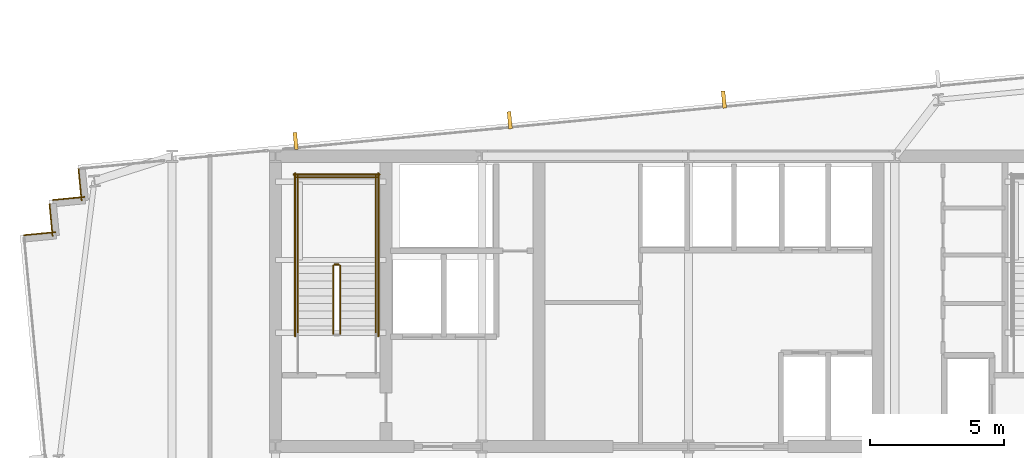
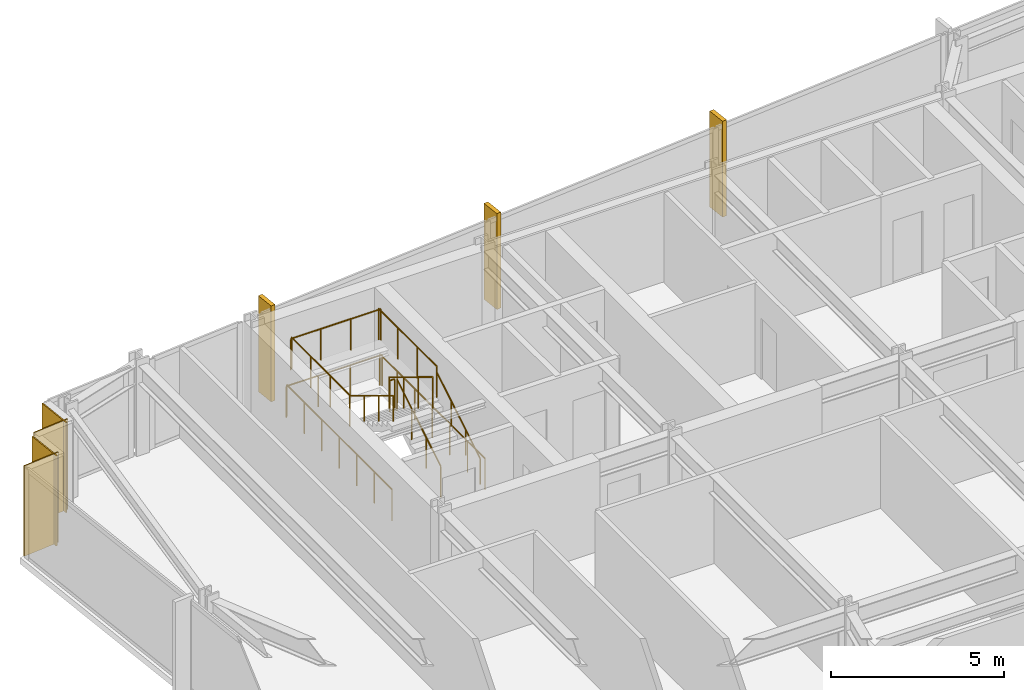
# One storey, part 32 of 33: 11 railings, 4 coverings, 3 shading devices.
"""IFC4 building model written with IfcOpenShell, lengths in metres."""

from ifc_helpers import new_model, si_unit, direction, frame, frame_2d, origin, origin_2d, place, context, subcontext, project, spatial, rectangle, circle, extrude, material, layer, layer_set, type_object, element, save


model = new_model("IFC4")

# Units and contexts
model_context = context("Model", 3, precision=1e-05, world=origin(), true_north=direction((0.0, 1.0)))
body_context = subcontext(model_context, "Body", "Model", "MODEL_VIEW")
ifc_project = project(units=[si_unit("LENGTHUNIT", "METRE"), si_unit("AREAUNIT", "SQUARE_METRE"), si_unit("VOLUMEUNIT", "CUBIC_METRE"), si_unit("PLANEANGLEUNIT", "RADIAN"), si_unit("MASSUNIT", "GRAM", prefix="KILO")], contexts=[model_context])

# Site, building, storey
site_placement = place(None, origin())
site = spatial("IfcSite", under=ifc_project, at=site_placement, CompositionType="ELEMENT")
building_placement = place(site_placement, origin())
building = spatial("IfcBuilding", under=site, at=building_placement, Name="Yelkora Congress Tower", CompositionType="ELEMENT")
storey_placement = place(building_placement, frame((0.0, 0.0, 127.10009765625)))
storey = spatial("IfcBuildingStorey", under=building, at=storey_placement, Name="L34", CompositionType="ELEMENT", Elevation=127.10009765625)

# Coverings
ifc_material_1 = material(Name="Anatolian bush-hammered limestone", Category="masonry")
ifc_layer_1 = layer(ifc_material_1, 0.0400390625)
ifc_layer_set_1 = layer_set([ifc_layer_1], Name="Anatolian bush-hammered limestone")
covering_type = type_object("IfcCoveringType", Name="COV-CLAD-SPANDREL-40", PredefinedType="CLADDING", material=ifc_layer_set_1)
for number, where, z_axis, x_axis, name in (
    (1, (13.677978515625, 43.260986328125, 0.0), (0.0, 0.0, 1.0), (0.995397091755, 0.095836473879, 0.0), "L34 Anatolian Limestone Cladding EW-L34-SR06"),
    (2, (14.7509765625, 43.228759765625, 0.0), (0.0, 0.0, 1.0), (-0.095836473879, 0.995397091755, 0.0), "L34 Anatolian Limestone Cladding EW-L34-SR07"),
):
    element("IfcCovering", number, at=place(storey_placement, frame(where, z_axis=z_axis, x_axis=x_axis)), inside=storey, type_object=covering_type, Name=name, PredefinedType="CLADDING", context=body_context, shape_type="SweptSolid", body=[
        extrude(rectangle(XDim=1.199951171875, YDim=0.0400390625, at=frame_2d((0.60009765625, 0.0))), origin(), (0.0, 0.0, 1.0), 3.179931640625),
    ])
for number, where, z_axis, x_axis, name in (
    (3, (14.75732421875, 44.570556640625, 0.0), (0.0, 0.0, 1.0), (0.995398960025, 0.095817067274, 0.0), "L34 Anatolian Limestone Cladding EW-L34-SR08"),
    (4, (15.830322265625, 44.5380859375, 0.0), (0.0, 0.0, 1.0), (-0.095817067274, 0.995398960025, 0.0), "L34 Anatolian Limestone Cladding EW-L34-SR09"),
):
    element("IfcCovering", number, at=place(storey_placement, frame(where, z_axis=z_axis, x_axis=x_axis)), inside=storey, type_object=covering_type, Name=name, PredefinedType="CLADDING", context=body_context, shape_type="SweptSolid", body=[
        extrude(rectangle(XDim=1.2001953125, YDim=0.0400390625, at=frame_2d((0.60009765625, 0.0))), origin(), (0.0, 0.0, 1.0), 3.179931640625),
    ])

# Railings
ifc_material_2 = material(Name="Painted galvanised steel stair well guard with vertical infill", Category="steel")
ifc_layer_2 = layer(ifc_material_2, 0.06005859375)
ifc_layer_set_2 = layer_set([ifc_layer_2], Name="Painted galvanised steel stair well guard with vertical infill")
railing_type_1 = type_object("IfcRailingType", Name="RAIL-STAIR-GUARD-1120", PredefinedType="GUARDRAIL", material=ifc_layer_set_2)
railing_1_placement = place(storey_placement, frame((25.449951171875, 39.60009765625, 0.169921875)))
element("IfcRailing", 5, at=railing_1_placement, inside=storey, type_object=railing_type_1, Name="ST-01 L34 Stair Well Guardrail 1", PredefinedType="GUARDRAIL", context=body_context, shape_type="SweptSolid", body=[
    extrude(circle(Radius=0.02392578125, at=origin_2d()), frame((0.0, 0.0, 1.09619140625), z_axis=(0.0, 0.85478489116, 0.518982456201), x_axis=(-1.0, 0.0, 0.0)), (0.0, 0.0, 1.0), 2.9482421875),
    extrude(circle(Radius=0.02099609375, at=origin_2d()), origin(), (0.0, 0.0, 1.0), 1.072021484375),
    extrude(circle(Radius=0.02099609375, at=origin_2d()), frame((0.0, 0.840087890625, 0.510009765625)), (0.0, 0.0, 1.0), 1.072021484375),
    extrude(circle(Radius=0.02099609375, at=origin_2d()), frame((0.0, 1.679931640625, 1.02001953125)), (0.0, 0.0, 1.0), 1.072021484375),
    extrude(circle(Radius=0.02099609375, at=origin_2d()), frame((0.0, 2.52001953125, 1.530029296875)), (0.0, 0.0, 1.0), 1.072021484375),
])
railing_2_placement = place(storey_placement, frame((25.39990234375, 42.169921875, 1.699951171875)))
element("IfcRailing", 6, at=railing_2_placement, inside=storey, type_object=railing_type_1, Name="ST-01 L34 Stair Well Guardrail 2", PredefinedType="GUARDRAIL", context=body_context, shape_type="SweptSolid", body=[
    extrude(circle(Radius=0.02392578125, at=origin_2d()), frame((0.0, 0.0, 1.09619140625), z_axis=(-1.0, 0.0, 0.0), x_axis=(0.0, -1.0, 0.0)), (0.0, 0.0, 1.0), 0.159912109375),
    extrude(circle(Radius=0.02099609375, at=origin_2d()), origin(), (0.0, 0.0, 1.0), 1.072021484375),
    extrude(circle(Radius=0.02099609375, at=origin_2d()), frame((-0.159912109375, 0.0, 0.0)), (0.0, 0.0, 1.0), 1.072021484375),
])
for number, where, name in (
    (7, (26.77001953125, 42.1201171875, 1.699951171875), "ST-01 L34 Stair Well Guardrail 3"),
    (8, (23.8701171875, 42.1201171875, 1.699951171875), "ST-01 L34 Stair Well Guardrail 4"),
):
    element("IfcRailing", number, at=place(storey_placement, frame(where)), inside=storey, type_object=railing_type_1, Name=name, PredefinedType="GUARDRAIL", context=body_context, shape_type="SweptSolid", body=[
        extrude(circle(Radius=0.02392578125, at=origin_2d()), frame((0.0, 0.0, 1.09619140625), z_axis=(0.0, 1.0, 0.0), x_axis=(-1.0, 0.0, 0.0)), (0.0, 0.0, 1.0), 3.349853515625),
        extrude(circle(Radius=0.02099609375, at=origin_2d()), origin(), (0.0, 0.0, 1.0), 1.072021484375),
        extrude(circle(Radius=0.02099609375, at=origin_2d()), frame((0.0, 1.11669921875, 0.0)), (0.0, 0.0, 1.0), 1.072021484375),
        extrude(circle(Radius=0.02099609375, at=origin_2d()), frame((0.0, 2.233154296875, 0.0)), (0.0, 0.0, 1.0), 1.072021484375),
        extrude(circle(Radius=0.02099609375, at=origin_2d()), frame((0.0, 3.349853515625, 0.0)), (0.0, 0.0, 1.0), 1.072021484375),
    ])
railing_3_placement = place(storey_placement, frame((26.820068359375, 45.419921875, 1.699951171875)))
element("IfcRailing", 9, at=railing_3_placement, inside=storey, type_object=railing_type_1, Name="ST-01 L34 Stair Well Guardrail 5", PredefinedType="GUARDRAIL", context=body_context, shape_type="SweptSolid", body=[
    extrude(circle(Radius=0.02392578125, at=origin_2d()), frame((0.0, 0.0, 1.09619140625), z_axis=(-1.0, 0.0, 0.0), x_axis=(0.0, -1.0, 0.0)), (0.0, 0.0, 1.0), 3.0),
    extrude(circle(Radius=0.02099609375, at=origin_2d()), origin(), (0.0, 0.0, 1.0), 1.072021484375),
    extrude(circle(Radius=0.02099609375, at=origin_2d()), frame((-1.0, 0.0, 0.0)), (0.0, 0.0, 1.0), 1.072021484375),
    extrude(circle(Radius=0.02099609375, at=origin_2d()), frame((-2.0, 0.0, 0.0)), (0.0, 0.0, 1.0), 1.072021484375),
    extrude(circle(Radius=0.02099609375, at=origin_2d()), frame((-3.0, 0.0, 0.0)), (0.0, 0.0, 1.0), 1.072021484375),
])
railing_4_placement = place(storey_placement, frame((25.18994140625, 42.1201171875, 1.869873046875)))
element("IfcRailing", 10, at=railing_4_placement, inside=storey, type_object=railing_type_1, Name="ST-01 L34 Stair Well Guardrail 6", PredefinedType="GUARDRAIL", context=body_context, shape_type="SweptSolid", body=[
    extrude(circle(Radius=0.02392578125, at=origin_2d()), frame((0.0, 0.0, 1.09619140625), z_axis=(0.0, -0.85478489116, 0.518982456201), x_axis=(1.0, 0.0, 0.0)), (0.0, 0.0, 1.0), 2.9482421875),
    extrude(circle(Radius=0.02099609375, at=origin_2d()), origin(), (0.0, 0.0, 1.0), 1.072021484375),
    extrude(circle(Radius=0.02099609375, at=origin_2d()), frame((0.0, -0.840087890625, 0.510009765625)), (0.0, 0.0, 1.0), 1.072021484375),
    extrude(circle(Radius=0.02099609375, at=origin_2d()), frame((0.0, -1.679931640625, 1.02001953125)), (0.0, 0.0, 1.0), 1.072021484375),
    extrude(circle(Radius=0.02099609375, at=origin_2d()), frame((0.0, -2.52001953125, 1.530029296875)), (0.0, 0.0, 1.0), 1.072021484375),
])
for number, where, name in (
    (11, (26.8701171875, 39.5, 0.0), "ST-01 L34 Stair Well Guardrail 10"),
    (12, (23.77001953125, 39.5, 0.0), "ST-01 L34 Stair Well Guardrail 11"),
):
    element("IfcRailing", number, at=place(storey_placement, frame(where)), inside=storey, type_object=railing_type_1, Name=name, PredefinedType="GUARDRAIL", context=body_context, shape_type="SweptSolid", body=[
        extrude(circle(Radius=0.02392578125, at=origin_2d()), frame((0.0, 0.0, 1.09619140625), z_axis=(0.0, 1.0, 0.0), x_axis=(-1.0, 0.0, 0.0)), (0.0, 0.0, 1.0), 6.070068359375),
        extrude(circle(Radius=0.02099609375, at=origin_2d()), origin(), (0.0, 0.0, 1.0), 1.072021484375),
        extrude(circle(Radius=0.02099609375, at=origin_2d()), frame((0.0, 1.01171875, 0.0)), (0.0, 0.0, 1.0), 1.072021484375),
        extrude(circle(Radius=0.02099609375, at=origin_2d()), frame((0.0, 2.0234375, 0.0)), (0.0, 0.0, 1.0), 1.072021484375),
        extrude(circle(Radius=0.02099609375, at=origin_2d()), frame((0.0, 3.03515625, 0.0)), (0.0, 0.0, 1.0), 1.072021484375),
        extrude(circle(Radius=0.02099609375, at=origin_2d()), frame((0.0, 4.046630859375, 0.0)), (0.0, 0.0, 1.0), 1.072021484375),
        extrude(circle(Radius=0.02099609375, at=origin_2d()), frame((0.0, 5.058349609375, 0.0)), (0.0, 0.0, 1.0), 1.072021484375),
        extrude(circle(Radius=0.02099609375, at=origin_2d()), frame((0.0, 6.070068359375, 0.0)), (0.0, 0.0, 1.0), 1.072021484375),
    ])
railing_5_placement = place(storey_placement, frame((26.919921875, 45.52001953125, 0.0)))
element("IfcRailing", 13, at=railing_5_placement, inside=storey, type_object=railing_type_1, Name="ST-01 L34 Stair Well Guardrail 12", PredefinedType="GUARDRAIL", context=body_context, shape_type="SweptSolid", body=[
    extrude(circle(Radius=0.02392578125, at=origin_2d()), frame((0.0, 0.0, 1.09619140625), z_axis=(-1.0, 0.0, 0.0), x_axis=(0.0, -1.0, 0.0)), (0.0, 0.0, 1.0), 3.199951171875),
    extrude(circle(Radius=0.02099609375, at=origin_2d()), origin(), (0.0, 0.0, 1.0), 1.072021484375),
    extrude(circle(Radius=0.02099609375, at=origin_2d()), frame((-1.066650390625, 0.0, 0.0)), (0.0, 0.0, 1.0), 1.072021484375),
    extrude(circle(Radius=0.02099609375, at=origin_2d()), frame((-2.13330078125, 0.0, 0.0)), (0.0, 0.0, 1.0), 1.072021484375),
    extrude(circle(Radius=0.02099609375, at=origin_2d()), frame((-3.199951171875, 0.0, 0.0)), (0.0, 0.0, 1.0), 1.072021484375),
])
ifc_material_3 = material(Name="Brushed stainless steel tubular handrail", Category="steel")
ifc_layer_3 = layer(ifc_material_3, 0.050048828125)
ifc_layer_set_3 = layer_set([ifc_layer_3], Name="Brushed stainless steel tubular handrail")
railing_type_2 = type_object("IfcRailingType", Name="RAIL-STAIR-HAND-920", PredefinedType="HANDRAIL", material=ifc_layer_set_3)
railing_6_placement = place(storey_placement, frame((26.77001953125, 39.60009765625, 0.169921875)))
element("IfcRailing", 14, at=railing_6_placement, inside=storey, type_object=railing_type_2, Name="ST-01 L34 Pitch Handrail 1", PredefinedType="HANDRAIL", context=body_context, shape_type="SweptSolid", body=[
    extrude(circle(Radius=0.02392578125, at=origin_2d()), frame((0.0, 0.0, 0.89599609375), z_axis=(0.0, 0.85478489116, 0.518982456201), x_axis=(-1.0, 0.0, 0.0)), (0.0, 0.0, 1.0), 2.9482421875),
    extrude(circle(Radius=0.02099609375, at=origin_2d()), origin(), (0.0, 0.0, 1.0), 0.871826171875),
    extrude(circle(Radius=0.02099609375, at=origin_2d()), frame((0.0, 0.840087890625, 0.510009765625)), (0.0, 0.0, 1.0), 0.871826171875),
    extrude(circle(Radius=0.02099609375, at=origin_2d()), frame((0.0, 1.679931640625, 1.02001953125)), (0.0, 0.0, 1.0), 0.871826171875),
    extrude(circle(Radius=0.02099609375, at=origin_2d()), frame((0.0, 2.52001953125, 1.530029296875)), (0.0, 0.0, 1.0), 0.871826171875),
])
railing_7_placement = place(storey_placement, frame((23.8701171875, 42.1201171875, 1.869873046875)))
element("IfcRailing", 15, at=railing_7_placement, inside=storey, type_object=railing_type_2, Name="ST-01 L34 Pitch Handrail 2", PredefinedType="HANDRAIL", context=body_context, shape_type="SweptSolid", body=[
    extrude(circle(Radius=0.02392578125, at=origin_2d()), frame((0.0, 0.0, 0.89599609375), z_axis=(0.0, -0.85478489116, 0.518982456201), x_axis=(1.0, 0.0, 0.0)), (0.0, 0.0, 1.0), 2.9482421875),
    extrude(circle(Radius=0.02099609375, at=origin_2d()), origin(), (0.0, 0.0, 1.0), 0.871826171875),
    extrude(circle(Radius=0.02099609375, at=origin_2d()), frame((0.0, -0.840087890625, 0.510009765625)), (0.0, 0.0, 1.0), 0.871826171875),
    extrude(circle(Radius=0.02099609375, at=origin_2d()), frame((0.0, -1.679931640625, 1.02001953125)), (0.0, 0.0, 1.0), 0.871826171875),
    extrude(circle(Radius=0.02099609375, at=origin_2d()), frame((0.0, -2.52001953125, 1.530029296875)), (0.0, 0.0, 1.0), 0.871826171875),
])

# Shading devices
ifc_material_4 = material(Name="Champagne anodised aluminium", Category="aluminium")
ifc_layer_4 = layer(ifc_material_4, 3.39990234375)
ifc_layer_set_4 = layer_set([ifc_layer_4], Name="Champagne anodised aluminium")
shading_device_type = type_object("IfcShadingDeviceType", Name="SHD-FIN-ALU-640", PredefinedType="USERDEFINED", material=ifc_layer_set_4)
for number, where, z_axis, x_axis, name in (
    (16, (23.791015625, 46.771484375, -0.030029296875), (0.0, 0.0, 1.0), (0.995396198367, 0.09584575252, 0.0), "L34 Vertical Anodised Solar Fin 10-1"),
    (17, (31.7568359375, 47.53857421875, -0.030029296875), (0.0, 0.0, 1.0), (0.995396198367, 0.09584575252, 0.0), "L34 Vertical Anodised Solar Fin 10-2"),
    (18, (39.722900390625, 48.3056640625, -0.030029296875), (0.0, 0.0, 1.0), (0.995396198367, 0.09584575252, 0.0), "L34 Vertical Anodised Solar Fin 10-3"),
):
    element("IfcShadingDevice", number, at=place(storey_placement, frame(where, z_axis=z_axis, x_axis=x_axis)), inside=storey, type_object=shading_device_type, Name=name, ObjectType="FIN", PredefinedType="USERDEFINED", context=body_context, shape_type="SweptSolid", body=[
        extrude(rectangle(XDim=0.139892578125, YDim=0.639892578125, at=origin_2d()), origin(), (0.0, 0.0, 1.0), 3.3798828125),
    ])

save(model, "model.ifc")
